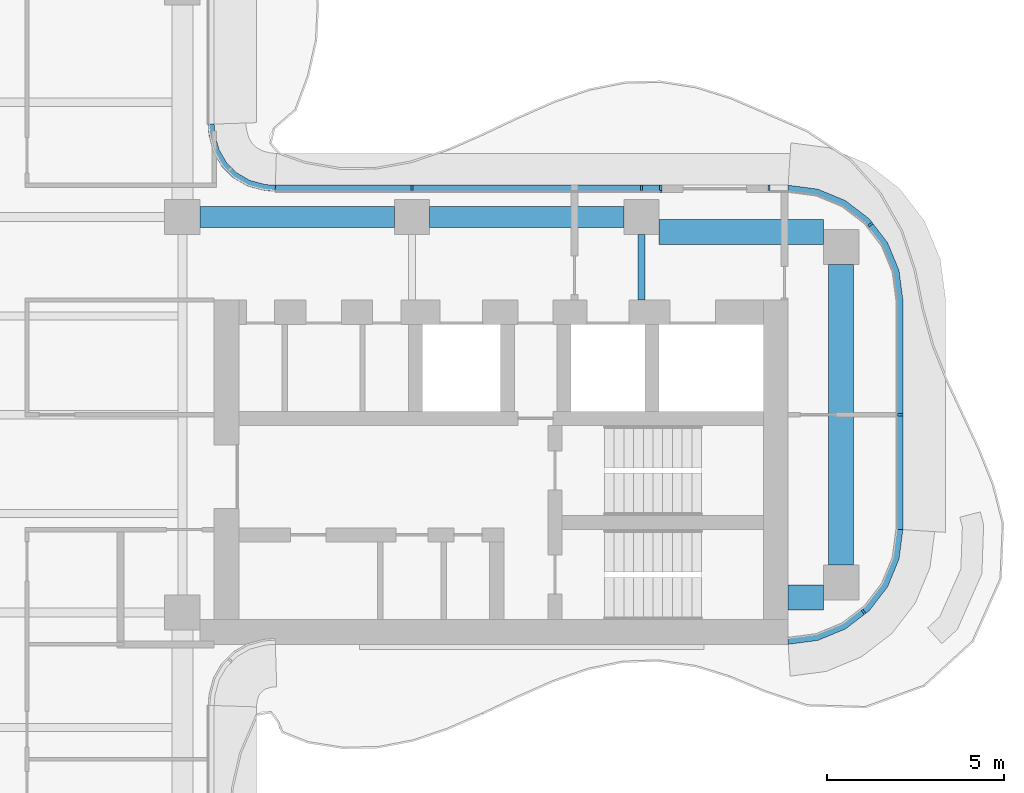
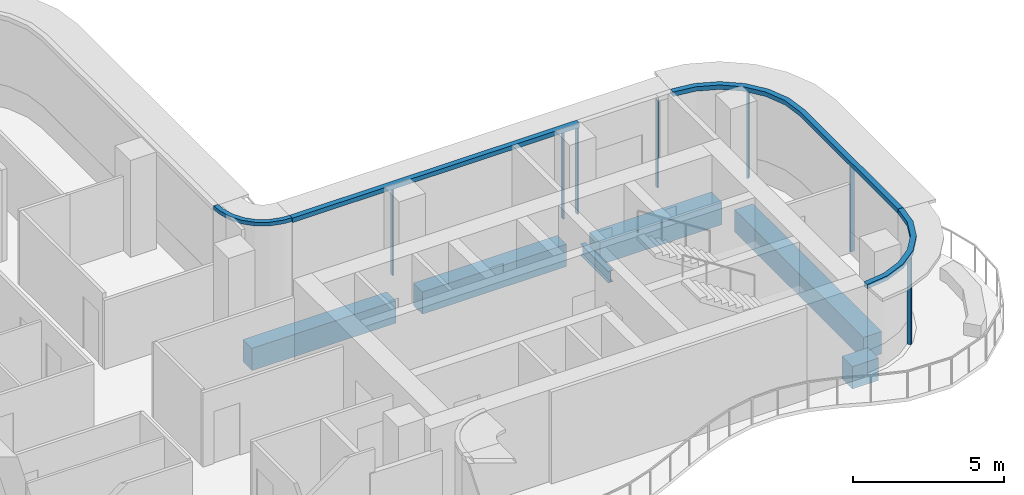
# One storey, part 6 of 17: 11 members, 6 beams, 5 elements without a shape of their own.
"""IFC4 building model written with IfcOpenShell, lengths in metres."""

from ifc_helpers import new_model, si_unit, direction, frame, origin, origin_2d, place, context, subcontext, project, spatial, polyline, rectangle, i_section, outline, extrude, source, transform, mapped, material, layer, layer_set, material_profile, profile_set, type_object, element, aggregate, save


model = new_model("IFC4")

# Units and contexts
model_context = context("Model", 3, precision=1e-05, world=origin(), true_north=direction((0.0, 1.0)))
body_context = subcontext(model_context, "Body", "Model", "MODEL_VIEW")
ifc_project = project(units=[si_unit("LENGTHUNIT", "METRE"), si_unit("AREAUNIT", "SQUARE_METRE"), si_unit("VOLUMEUNIT", "CUBIC_METRE"), si_unit("PLANEANGLEUNIT", "RADIAN"), si_unit("MASSUNIT", "GRAM", prefix="KILO")], contexts=[model_context])

# Site, building, storey
site_placement = place(None, origin())
site = spatial("IfcSite", under=ifc_project, at=site_placement, CompositionType="ELEMENT")
building_placement = place(site_placement, origin())
building = spatial("IfcBuilding", under=site, at=building_placement, Name="Trellis Farm Tower", CompositionType="ELEMENT")
storey_placement = place(building_placement, frame((0.0, 0.0, 295.0)))
storey = spatial("IfcBuildingStorey", under=building, at=storey_placement, Name="L66", CompositionType="ELEMENT", Elevation=295.0)

# Curtain wall, member
ifc_material_1 = material(Name="Aluminium and glass curtain wall", Category="aluminium")
ifc_layer_1 = layer(ifc_material_1, 0.18994140625)
ifc_layer_set_1 = layer_set([ifc_layer_1], Name="RIBBON CURTAIN WALL CW1")
curtain_wall_type_1 = type_object("IfcCurtainWallType", Name="RIBBON CURTAIN WALL CW1", PredefinedType="NOTDEFINED", material=ifc_layer_set_1)
placement_1 = place(storey_placement, origin())
curtain_wall_1 = element("IfcCurtainWall", 1, at=placement_1, inside=storey, type_object=curtain_wall_type_1, Name="CW1 008", PredefinedType="NOTDEFINED")
ifc_material_2 = material(Name="Aluminium extrusion 6063-T6", Category="aluminium")
ifc_layer_2 = layer(ifc_material_2, 0.199951171875)
ifc_layer_set_2 = layer_set([ifc_layer_2], Name="Aluminium extrusion 6063-T6")
member_type_1 = type_object("IfcMemberType", Name="CW1 TRANSOM 200x180", PredefinedType="USERDEFINED", material=ifc_layer_set_2)
placement_2 = place(storey_placement, frame((0.0, 0.0, 3.52001953125)))
member_1 = element("IfcMember", 2, at=placement_2, type_object=member_type_1, Name="TR1 008", ObjectType="TRANSOM", PredefinedType="USERDEFINED", context=body_context, shape_type="SweptSolid", body=[
    extrude(outline(polyline([(19.175048828125, 6.5), (8.2314453125, 6.5), (8.224853515625, 6.300048828125), (19.175048828125, 6.300048828125), (19.175048828125, 6.5)])), origin(), (0.0, 0.0, 1.0), 0.179931640625),
])

# Beams
ifc_material_3 = material(Name="Steel S355", Category="steel")
ifc_material_profile_1 = material_profile(ifc_material_3, i_section(OverallWidth=0.1904296875, OverallDepth=0.45703125, WebThickness=0.009033203125, FlangeThickness=0.014404296875, FilletRadius=0.01025390625, at=origin_2d()), Name="UB 457x191x74")
ifc_profile_set_1 = profile_set([ifc_material_profile_1], Name="Steel S355")
beam_type_1 = type_object("IfcBeamType", Name="UB 457x191x74", PredefinedType="BEAM", material=ifc_profile_set_1)
shared_shape_1 = source(origin(), body_context, "Body", "SweptSolid", [
    extrude(i_section(OverallWidth=0.1904296875, OverallDepth=0.45703125, WebThickness=0.009033203125, FlangeThickness=0.014404296875, FilletRadius=0.01025390625, at=origin_2d()), origin(), (0.0, 0.0, 1.0), 1.85009765625),
])
beam_1_placement = place(storey_placement, frame((18.60009765625, 3.25, -0.428466796875), z_axis=(0.0, 1.0, 0.0), x_axis=(-1.0, 0.0, 0.0)))
element("IfcBeam", 3, at=beam_1_placement, inside=storey, type_object=beam_type_1, Name="Girder", PredefinedType="BEAM", context=body_context, shape_type="MappedRepresentation", body=[
    mapped(shared_shape_1, transform((0.0, 0.0, 0.0))),
])
ifc_material_4 = material(Name="Concrete C60/75", Category="concrete")
ifc_material_profile_2 = material_profile(ifc_material_4, rectangle(XDim=0.60009765625, YDim=0.89990234375, at=origin_2d()), Name="RC spandrel beam 600x900 C60/75")
ifc_profile_set_2 = profile_set([ifc_material_profile_2], Name="Concrete C60/75")
beam_type_2 = type_object("IfcBeamType", Name="RC spandrel beam 600x900 C60/75", PredefinedType="SPANDREL", material=ifc_profile_set_2)
shared_shape_2 = source(origin(), body_context, "Body", "SweptSolid", [
    extrude(rectangle(XDim=0.60009765625, YDim=0.89990234375, at=origin_2d()), origin(), (0.0, 0.0, 1.0), 5.5),
])
for number, where, z_axis, x_axis, name in (
    (4, (6.10009765625, 5.60009765625, -0.64990234375), (1.0, 0.0, 0.0), (0.0, 1.0, 0.0), "Girder"),
    (5, (12.60009765625, 5.60009765625, -0.64990234375), (1.0, 0.0, 0.0), (0.0, 1.0, 0.0), "Girder"),
):
    element("IfcBeam", number, at=place(storey_placement, frame(where, z_axis=z_axis, x_axis=x_axis)), inside=storey, type_object=beam_type_2, Name=name, PredefinedType="SPANDREL", context=body_context, shape_type="MappedRepresentation", body=[
        mapped(shared_shape_2, transform((0.0, 0.0, 0.0))),
    ])
ifc_material_profile_3 = material_profile(ifc_material_4, rectangle(XDim=0.699951171875, YDim=0.89990234375, at=origin_2d()), Name="RC spandrel beam 700x900 C60/75")
ifc_profile_set_3 = profile_set([ifc_material_profile_3], Name="Concrete C60/75")
beam_type_3 = type_object("IfcBeamType", Name="RC spandrel beam 700x900 C60/75", PredefinedType="SPANDREL", material=ifc_profile_set_3)
shared_shape_3 = source(origin(), body_context, "Body", "SweptSolid", [
    extrude(rectangle(XDim=0.699951171875, YDim=0.89990234375, at=origin_2d()), origin(), (0.0, 0.0, 1.0), 1.0),
])
beam_2_placement = place(storey_placement, frame((22.75, -5.175048828125, -0.64990234375), z_axis=(1.0, 0.0, 0.0), x_axis=(0.0, 1.0, 0.0)))
element("IfcBeam", 6, at=beam_2_placement, inside=storey, type_object=beam_type_3, Name="Girder", PredefinedType="SPANDREL", context=body_context, shape_type="MappedRepresentation", body=[
    mapped(shared_shape_3, transform((0.0, 0.0, 0.0))),
])
shared_shape_4 = source(origin(), body_context, "Body", "SweptSolid", [
    extrude(rectangle(XDim=0.699951171875, YDim=0.89990234375, at=origin_2d()), origin(), (0.0, 0.0, 1.0), 4.64990234375),
])
beam_3_placement = place(storey_placement, frame((19.10009765625, 5.175048828125, -0.64990234375), z_axis=(1.0, 0.0, 0.0), x_axis=(0.0, 1.0, 0.0)))
element("IfcBeam", 7, at=beam_3_placement, inside=storey, type_object=beam_type_3, Name="Girder", PredefinedType="SPANDREL", context=body_context, shape_type="MappedRepresentation", body=[
    mapped(shared_shape_4, transform((0.0, 0.0, 0.0))),
])
shared_shape_5 = source(origin(), body_context, "Body", "SweptSolid", [
    extrude(rectangle(XDim=0.699951171875, YDim=0.89990234375, at=origin_2d()), origin(), (0.0, 0.0, 1.0), 8.5),
])
beam_4_placement = place(storey_placement, frame((24.25, -4.25, -0.64990234375), z_axis=(0.0, 1.0, 0.0), x_axis=(-1.0, 0.0, 0.0)))
element("IfcBeam", 8, at=beam_4_placement, inside=storey, type_object=beam_type_3, Name="Girder", PredefinedType="SPANDREL", context=body_context, shape_type="MappedRepresentation", body=[
    mapped(shared_shape_5, transform((0.0, 0.0, 0.0))),
])

# Curtain wall, member
ifc_layer_3 = layer(ifc_material_1, 0.166015625)
ifc_layer_set_3 = layer_set([ifc_layer_3], Name="WINTER GARDEN CURTAIN WALL CW3")
curtain_wall_type_2 = type_object("IfcCurtainWallType", Name="WINTER GARDEN CURTAIN WALL CW3", PredefinedType="NOTDEFINED", material=ifc_layer_set_3)
curtain_wall_2 = element("IfcCurtainWall", 9, at=placement_1, inside=storey, type_object=curtain_wall_type_2, Name="CW3 003", PredefinedType="NOTDEFINED")
ifc_layer_4 = layer(ifc_material_2, 0.169921875)
ifc_layer_set_4 = layer_set([ifc_layer_4], Name="Aluminium extrusion 6063-T6")
member_type_2 = type_object("IfcMemberType", Name="CW3 TRANSOM 170x150", PredefinedType="USERDEFINED", material=ifc_layer_set_4)
shared_shape_6 = source(origin(), body_context, "Body", "SweptSolid", [
    extrude(outline(polyline([(8.2314453125, 6.5), (8.01953125, 6.513916015625), (7.91552734375, 6.527587890625), (7.508544921875, 6.63671875), (7.144287109375, 6.846923828125), (6.846923828125, 7.144287109375), (6.63671875, 7.508544921875), (6.527587890625, 7.91552734375), (6.513916015625, 8.01953125), (6.5, 8.2314453125), (6.330078125, 8.225830078125), (6.3447265625, 8.0029296875), (6.360595703125, 7.88232421875), (6.478271484375, 7.44287109375), (6.7109375, 7.0400390625), (7.0400390625, 6.7109375), (7.44287109375, 6.478271484375), (7.88232421875, 6.360595703125), (8.0029296875, 6.3447265625), (8.225830078125, 6.330078125), (8.2314453125, 6.5)])), origin(), (0.0, 0.0, 1.0), 0.14990234375),
])
member_2_placement = place(storey_placement, frame((0.0, 0.0, 3.550048828125)))
member_2 = element("IfcMember", 10, at=member_2_placement, type_object=member_type_2, Name="TR3 003", ObjectType="TRANSOM", PredefinedType="USERDEFINED", context=body_context, shape_type="MappedRepresentation", body=[
    mapped(shared_shape_6, transform((0.0, 0.0, 0.0))),
])
aggregate(curtain_wall_2, [member_2])

curtain_wall_3 = element("IfcCurtainWall", 11, at=placement_1, inside=storey, type_object=curtain_wall_type_1, Name="CW1 005", PredefinedType="NOTDEFINED")
ifc_material_profile_4 = material_profile(ifc_material_2, rectangle(XDim=0.06005859375, YDim=0.14990234375, at=origin_2d()), Name="MULLION 60x150")
ifc_profile_set_4 = profile_set([ifc_material_profile_4], Name="Aluminium extrusion 6063-T6")
member_type_3 = type_object("IfcMemberType", Name="CW1 MULLION 60x150", PredefinedType="MULLION", material=ifc_profile_set_4)
shared_shape_7 = source(origin(), body_context, "Body", "SweptSolid", [
    extrude(rectangle(XDim=0.06005859375, YDim=0.14990234375, at=origin_2d()), origin(), (0.0, 0.0, 1.0), 3.52001953125),
])
member_3_placement = place(storey_placement, frame((24.885498046875, -5.578369140625, 0.0), z_axis=(0.0, 0.0, 1.0), x_axis=(0.793353340291, 0.608761429009, 0.0)))
member_3 = element("IfcMember", 12, at=member_3_placement, type_object=member_type_3, Name="MU1 005-01", PredefinedType="MULLION", context=body_context, shape_type="MappedRepresentation", body=[
    mapped(shared_shape_7, transform((0.0, 0.0, 0.0))),
])

# Curtain wall, members
curtain_wall_4 = element("IfcCurtainWall", 13, at=placement_1, inside=storey, type_object=curtain_wall_type_1, Name="CW1 006", PredefinedType="NOTDEFINED")
member_4_placement = place(storey_placement, frame((25.925048828125, 0.0, 0.0), z_axis=(0.0, 0.0, 1.0), x_axis=(0.0, 1.0, 0.0)))
member_4 = element("IfcMember", 14, at=member_4_placement, type_object=member_type_3, Name="MU1 006-01", PredefinedType="MULLION", context=body_context, shape_type="MappedRepresentation", body=[
    mapped(shared_shape_7, transform((0.0, 0.0, 0.0))),
])
member_5_placement = place(storey_placement, frame((25.078369140625, 5.385498046875, 0.0), z_axis=(0.0, 0.0, 1.0), x_axis=(-0.608761429009, 0.793353340291, 0.0)))
member_5 = element("IfcMember", 15, at=member_5_placement, type_object=member_type_3, Name="MU1 006-02", PredefinedType="MULLION", context=body_context, shape_type="MappedRepresentation", body=[
    mapped(shared_shape_7, transform((0.0, 0.0, 0.0))),
])

# Curtain wall, member
curtain_wall_5 = element("IfcCurtainWall", 16, at=placement_1, inside=storey, type_object=curtain_wall_type_1, Name="CW1 007", PredefinedType="NOTDEFINED")
member_6_placement = place(storey_placement, frame((22.205078125, 6.425048828125, 0.0), z_axis=(0.0, 0.0, 1.0), x_axis=(-1.0, 0.0, 0.0)))
member_6 = element("IfcMember", 17, at=member_6_placement, type_object=member_type_3, Name="MU1 007-01", PredefinedType="MULLION", context=body_context, shape_type="MappedRepresentation", body=[
    mapped(shared_shape_7, transform((0.0, 0.0, 0.0))),
])
aggregate(curtain_wall_5, [member_6])

# Member
member_7_placement = place(storey_placement, frame((19.14501953125, 6.425048828125, 0.0), z_axis=(0.0, 0.0, 1.0), x_axis=(-1.0, 0.0, 0.0)))
member_7 = element("IfcMember", 18, at=member_7_placement, type_object=member_type_3, Name="MU1 008-01", PredefinedType="MULLION", context=body_context, shape_type="MappedRepresentation", body=[
    mapped(shared_shape_7, transform((0.0, 0.0, 0.0))),
])

member_8_placement = place(storey_placement, frame((18.60009765625, 6.425048828125, 0.0), z_axis=(0.0, 0.0, 1.0), x_axis=(-1.0, 0.0, 0.0)))
member_8 = element("IfcMember", 19, at=member_8_placement, type_object=member_type_3, Name="MU1 008-02", PredefinedType="MULLION", context=body_context, shape_type="MappedRepresentation", body=[
    mapped(shared_shape_7, transform((0.0, 0.0, 0.0))),
])

member_9_placement = place(storey_placement, frame((12.10009765625, 6.425048828125, 0.0), z_axis=(0.0, 0.0, 1.0), x_axis=(-1.0, 0.0, 0.0)))
member_9 = element("IfcMember", 20, at=member_9_placement, type_object=member_type_3, Name="MU1 008-03", PredefinedType="MULLION", context=body_context, shape_type="MappedRepresentation", body=[
    mapped(shared_shape_7, transform((0.0, 0.0, 0.0))),
])

aggregate(curtain_wall_1, [member_7, member_8, member_9, member_1])

shared_shape_8 = source(origin(), body_context, "Body", "SweptSolid", [
    extrude(outline(polyline([(22.75, -6.5), (23.591064453125, -6.38916015625), (24.375, -6.064697265625), (25.048095703125, -5.548095703125), (25.564697265625, -4.875), (25.88916015625, -4.091064453125), (26.0, -3.25), (25.800048828125, -3.23681640625), (25.6943359375, -4.0390625), (25.389892578125, -4.774169921875), (24.905517578125, -5.405517578125), (24.274169921875, -5.889892578125), (23.5390625, -6.1943359375), (22.73681640625, -6.300048828125), (22.75, -6.5)])), origin(), (0.0, 0.0, 1.0), 0.179931640625),
])
member_10 = element("IfcMember", 21, at=placement_2, type_object=member_type_1, Name="TR1 005", ObjectType="TRANSOM", PredefinedType="USERDEFINED", context=body_context, shape_type="MappedRepresentation", body=[
    mapped(shared_shape_8, transform((0.0, 0.0, 0.0))),
])

aggregate(curtain_wall_3, [member_3, member_10])

shared_shape_9 = source(origin(), body_context, "Body", "SweptSolid", [
    extrude(outline(polyline([(26.0, -3.25), (26.0, 3.25), (25.88916015625, 4.091064453125), (25.564697265625, 4.875), (25.048095703125, 5.548095703125), (24.375, 6.064697265625), (23.591064453125, 6.38916015625), (22.75, 6.5), (22.73681640625, 6.300048828125), (23.5390625, 6.1943359375), (24.274169921875, 5.889892578125), (24.905517578125, 5.405517578125), (25.389892578125, 4.774169921875), (25.6943359375, 4.0390625), (25.800048828125, 3.23681640625), (25.800048828125, -3.23681640625), (26.0, -3.25)])), origin(), (0.0, 0.0, 1.0), 0.179931640625),
])
member_11 = element("IfcMember", 22, at=placement_2, type_object=member_type_1, Name="TR1 006", ObjectType="TRANSOM", PredefinedType="USERDEFINED", context=body_context, shape_type="MappedRepresentation", body=[
    mapped(shared_shape_9, transform((0.0, 0.0, 0.0))),
])

aggregate(curtain_wall_4, [member_4, member_5, member_11])

save(model, "model.ifc")
